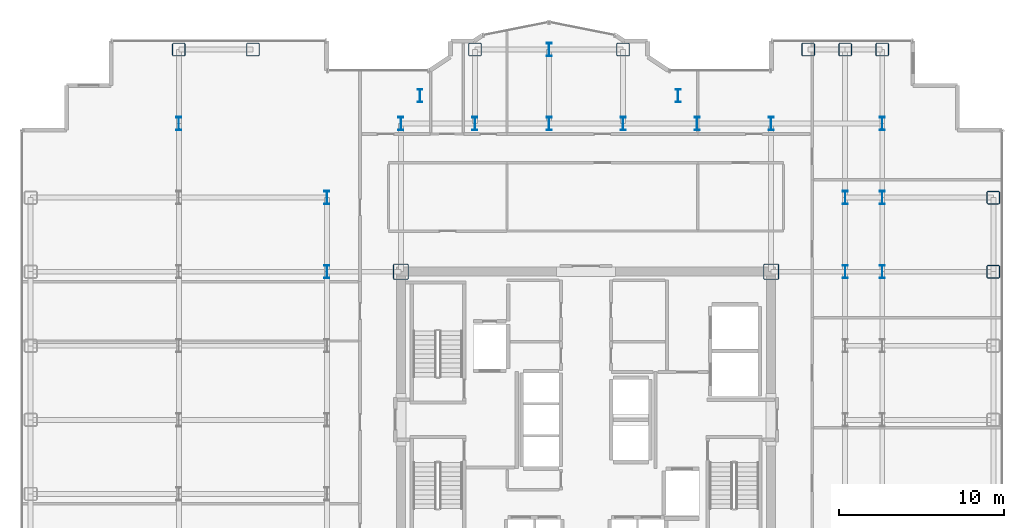
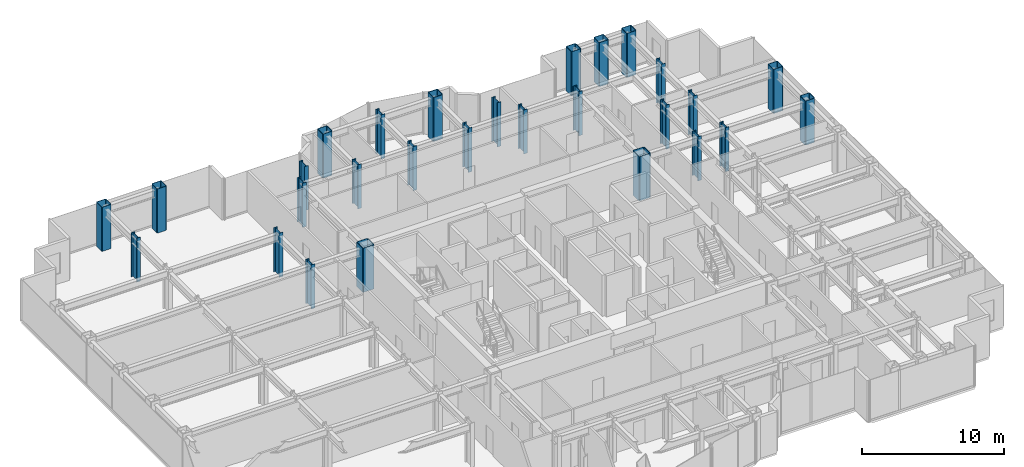
# One storey, part 2 of 23: 28 columns.
"""IFC4 building model written with IfcOpenShell, lengths in metres."""

from ifc_helpers import new_model, si_unit, direction, frame, origin, origin_2d, place, context, subcontext, project, spatial, hollow_rectangle, i_section, extrude, source, transform, mapped, material, material_profile, profile_set, type_object, element, save


model = new_model("IFC4")

# Units and contexts
model_context = context("Model", 3, precision=1e-05, world=origin(), true_north=direction((0.0, 1.0)))
body_context = subcontext(model_context, "Body", "Model", "MODEL_VIEW")
ifc_project = project(units=[si_unit("LENGTHUNIT", "METRE"), si_unit("AREAUNIT", "SQUARE_METRE"), si_unit("VOLUMEUNIT", "CUBIC_METRE"), si_unit("PLANEANGLEUNIT", "RADIAN"), si_unit("MASSUNIT", "GRAM", prefix="KILO")], contexts=[model_context])

# Site, building, storey
site_placement = place(None, origin())
site = spatial("IfcSite", under=ifc_project, at=site_placement, CompositionType="ELEMENT")
building_placement = place(site_placement, origin())
building = spatial("IfcBuilding", under=site, at=building_placement, Name="Nefas-Gora Pilgrimage Tower", CompositionType="ELEMENT")
storey_placement = place(building_placement, frame((0.0, 0.0, 167.800048828125)))
storey = spatial("IfcBuildingStorey", under=building, at=storey_placement, Name="L41", CompositionType="ELEMENT", Elevation=167.800048828125)

# Columns
ifc_material = material(Name="Steel S460", Category="steel")
ifc_material_profile_1 = material_profile(ifc_material, hollow_rectangle(XDim=0.949951171875, YDim=0.949951171875, WallThickness=0.044921875, InnerFilletRadius=0.044921875, OuterFilletRadius=0.090087890625, at=origin_2d()), Name="BOX 950x950x45")
ifc_profile_set_1 = profile_set([ifc_material_profile_1], Name="Steel S460")
column_type_1 = type_object("IfcColumnType", Name="COL-CORE-950", PredefinedType="COLUMN", material=ifc_profile_set_1)
shared_shape_1 = source(origin(), body_context, "Body", "SweptSolid", [
    extrude(hollow_rectangle(XDim=0.949951171875, YDim=0.949951171875, WallThickness=0.044921875, InnerFilletRadius=0.044921875, OuterFilletRadius=0.090087890625, at=origin_2d()), origin(), (0.0, 0.0, 1.0), 3.800048828125),
])
for number, where, z_axis, x_axis, name in (
    (1, (-11.25, 9.0, 0.0), (0.0, 0.0, 1.0), (1.0, 0.0, 0.0), "L41 Tower Column CC-Z1.30"),
    (2, (11.25, 9.0, 0.0), (0.0, 0.0, 1.0), (1.0, 0.0, 0.0), "L41 Tower Column CC-Z1.52"),
):
    element("IfcColumn", number, at=place(storey_placement, frame(where, z_axis=z_axis, x_axis=x_axis)), inside=storey, type_object=column_type_1, Name=name, PredefinedType="COLUMN", context=body_context, shape_type="MappedRepresentation", body=[
        mapped(shared_shape_1, transform((0.0, 0.0, 0.0), x_axis=(1.0, 0.0, 0.0), y_axis=(0.0, 1.0, 0.0), z_axis=(0.0, 0.0, 1.0), scale=1.0)),
    ])
ifc_material_profile_2 = material_profile(ifc_material, hollow_rectangle(XDim=0.800048828125, YDim=0.800048828125, WallThickness=0.0400390625, InnerFilletRadius=0.0400390625, OuterFilletRadius=0.080078125, at=origin_2d()), Name="BOX 800x800x40")
ifc_profile_set_2 = profile_set([ifc_material_profile_2], Name="Steel S460")
column_type_2 = type_object("IfcColumnType", Name="COL-TUBE-800", PredefinedType="COLUMN", material=ifc_profile_set_2)
shared_shape_2 = source(origin(), body_context, "Body", "SweptSolid", [
    extrude(hollow_rectangle(XDim=0.800048828125, YDim=0.800048828125, WallThickness=0.0400390625, InnerFilletRadius=0.0400390625, OuterFilletRadius=0.080078125, at=origin_2d()), origin(), (0.0, 0.0, 1.0), 3.800048828125),
])
for number, where, z_axis, x_axis, name in (
    (3, (-24.75, 22.5, 0.0), (0.0, 0.0, 1.0), (1.0, 0.0, 0.0), "L41 Tower Column C-Z2.18"),
    (4, (-20.25, 22.5, 0.0), (0.0, 0.0, 1.0), (1.0, 0.0, 0.0), "L41 Tower Column C-Z2.20"),
    (5, (-6.75, 22.5, 0.0), (0.0, 0.0, 1.0), (1.0, 0.0, 0.0), "L41 Tower Column C-Z2.37"),
    (6, (2.25, 22.5, 0.0), (0.0, 0.0, 1.0), (1.0, 0.0, 0.0), "L41 Tower Column C-Z2.45"),
    (7, (13.5, 22.5, 0.0), (0.0, 0.0, 1.0), (1.0, 0.0, 0.0), "L41 Tower Column C-Z2.55"),
    (8, (15.75, 22.5, 0.0), (0.0, 0.0, 1.0), (1.0, 0.0, 0.0), "L41 Tower Column C-Z2.64"),
    (9, (18.0, 22.5, 0.0), (0.0, 0.0, 1.0), (1.0, 0.0, 0.0), "L41 Tower Column C-Z2.75"),
    (10, (24.75, 9.0, 0.0), (0.0, 0.0, 1.0), (1.0, 0.0, 0.0), "L41 Tower Column C-Z2.81"),
    (11, (24.75, 13.5, 0.0), (0.0, 0.0, 1.0), (1.0, 0.0, 0.0), "L41 Tower Column C-Z2.82"),
):
    element("IfcColumn", number, at=place(storey_placement, frame(where, z_axis=z_axis, x_axis=x_axis)), inside=storey, type_object=column_type_2, Name=name, PredefinedType="COLUMN", context=body_context, shape_type="MappedRepresentation", body=[
        mapped(shared_shape_2, transform((0.0, 0.0, 0.0), x_axis=(1.0, 0.0, 0.0), y_axis=(0.0, 1.0, 0.0), z_axis=(0.0, 0.0, 1.0), scale=1.0)),
    ])
ifc_material_profile_3 = material_profile(ifc_material, i_section(OverallWidth=0.302978515625, OverallDepth=0.81396484375, WebThickness=0.02099609375, FlangeThickness=0.0400390625, FilletRadius=0.030029296875, at=origin_2d()), Name="HEM 800")
ifc_profile_set_3 = profile_set([ifc_material_profile_3], Name="Steel S460")
column_type_3 = type_object("IfcColumnType", Name="COL-WEB-HEM800", PredefinedType="COLUMN", material=ifc_profile_set_3)
shared_shape_3 = source(origin(), body_context, "Body", "SweptSolid", [
    extrude(i_section(OverallWidth=0.302978515625, OverallDepth=0.81396484375, WebThickness=0.02099609375, FlangeThickness=0.0400390625, FilletRadius=0.030029296875, at=origin_2d()), origin(), (0.0, 0.0, 1.0), 3.800048828125),
])
for number, where, z_axis, x_axis, name in (
    (12, (-24.75, 18.0, 0.0), (0.0, 0.0, 1.0), (1.0, 0.0, 0.0), "L41 Tower Column CW-02.17"),
    (13, (-15.75, 9.0, 0.0), (0.0, 0.0, 1.0), (1.0, 0.0, 0.0), "L41 Tower Column CW-02.26"),
    (14, (-15.75, 13.5, 0.0), (0.0, 0.0, 1.0), (1.0, 0.0, 0.0), "L41 Tower Column CW-02.27"),
    (15, (-11.25, 18.0, 0.0), (0.0, 0.0, 1.0), (1.0, 0.0, 0.0), "L41 Tower Column CW-02.31"),
    (16, (-10.091064453125, 19.696044921875, 0.0), (0.0, 0.0, 1.0), (1.0, 0.0, 0.0), "L41 Tower Column CW-02.33"),
    (17, (-6.75, 18.0, 0.0), (0.0, 0.0, 1.0), (1.0, 0.0, 0.0), "L41 Tower Column CW-02.36"),
    (18, (-2.25, 18.0, 0.0), (0.0, 0.0, 1.0), (1.0, 0.0, 0.0), "L41 Tower Column CW-02.40"),
    (19, (-2.25, 22.5, 0.0), (0.0, 0.0, 1.0), (1.0, 0.0, 0.0), "L41 Tower Column CW-02.41"),
    (20, (2.25, 18.0, 0.0), (0.0, 0.0, 1.0), (1.0, 0.0, 0.0), "L41 Tower Column CW-02.44"),
    (21, (5.591064453125, 19.696044921875, 0.0), (0.0, 0.0, 1.0), (1.0, 0.0, 0.0), "L41 Tower Column CW-02.47"),
    (22, (6.75, 18.0, 0.0), (0.0, 0.0, 1.0), (1.0, 0.0, 0.0), "L41 Tower Column CW-02.49"),
    (23, (11.25, 18.0, 0.0), (0.0, 0.0, 1.0), (1.0, 0.0, 0.0), "L41 Tower Column CW-02.53"),
    (24, (15.75, 9.0, 0.0), (0.0, 0.0, 1.0), (1.0, 0.0, 0.0), "L41 Tower Column CW-02.62"),
    (25, (15.75, 13.5, 0.0), (0.0, 0.0, 1.0), (1.0, 0.0, 0.0), "L41 Tower Column CW-02.63"),
    (26, (18.0, 9.0, 0.0), (0.0, 0.0, 1.0), (1.0, 0.0, 0.0), "L41 Tower Column CW-02.72"),
    (27, (18.0, 13.5, 0.0), (0.0, 0.0, 1.0), (1.0, 0.0, 0.0), "L41 Tower Column CW-02.73"),
    (28, (18.0, 18.0, 0.0), (0.0, 0.0, 1.0), (1.0, 0.0, 0.0), "L41 Tower Column CW-02.74"),
):
    element("IfcColumn", number, at=place(storey_placement, frame(where, z_axis=z_axis, x_axis=x_axis)), inside=storey, type_object=column_type_3, Name=name, PredefinedType="COLUMN", context=body_context, shape_type="MappedRepresentation", body=[
        mapped(shared_shape_3, transform((0.0, 0.0, 0.0), x_axis=(1.0, 0.0, 0.0), y_axis=(0.0, 1.0, 0.0), z_axis=(0.0, 0.0, 1.0), scale=1.0)),
    ])

save(model, "model.ifc")
